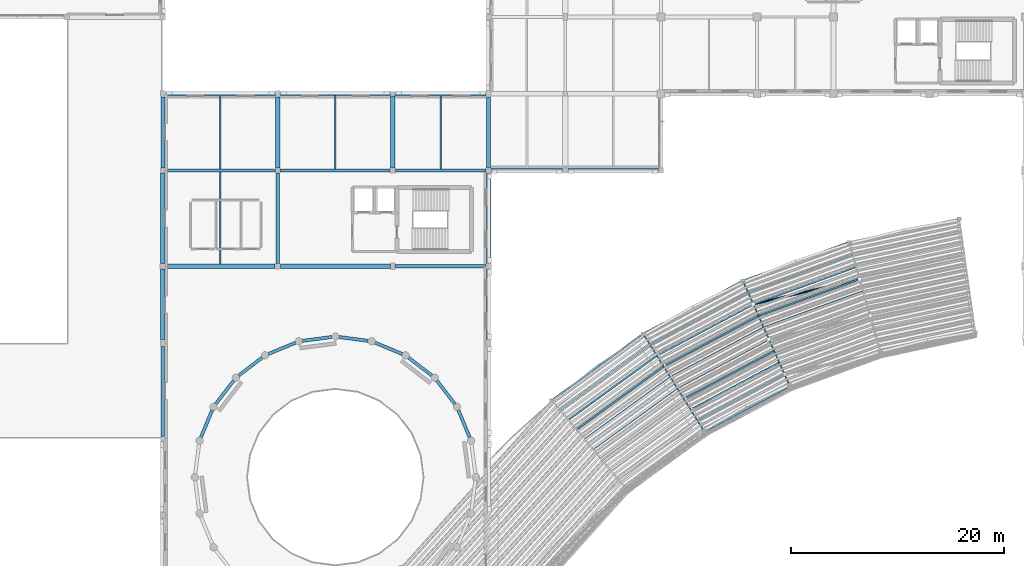
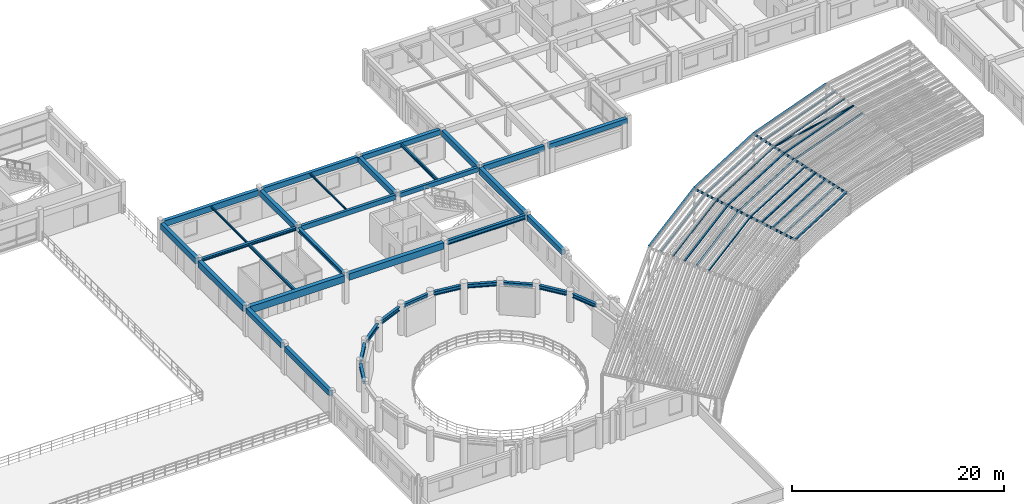
# One storey, part 29 of 74: 35 beams, 24 members.
"""IFC4 building model written with IfcOpenShell, lengths in metres."""

from ifc_helpers import new_model, si_unit, direction, frame, origin, origin_2d, place, context, subcontext, project, spatial, rectangle, hollow_circle, i_section, extrude, material, material_profile, profile_set, type_object, element, save


model = new_model("IFC4")

# Units and contexts
model_context = context("Model", 3, precision=1e-05, world=origin(), true_north=direction((0.0, 1.0)))
body_context = subcontext(model_context, "Body", "Model", "MODEL_VIEW")
ifc_project = project(units=[si_unit("LENGTHUNIT", "METRE"), si_unit("AREAUNIT", "SQUARE_METRE"), si_unit("VOLUMEUNIT", "CUBIC_METRE"), si_unit("PLANEANGLEUNIT", "RADIAN"), si_unit("MASSUNIT", "GRAM", prefix="KILO")], contexts=[model_context])

# Site, building, storey
site_placement = place(None, origin())
site = spatial("IfcSite", under=ifc_project, at=site_placement, CompositionType="ELEMENT")
building_placement = place(site_placement, origin())
building = spatial("IfcBuilding", under=site, at=building_placement, Name="Clarverna Civic Hall", CompositionType="ELEMENT")
storey_placement = place(building_placement, frame((0.0, 0.0, 13.199951171875)))
storey = spatial("IfcBuildingStorey", under=building, at=storey_placement, Name="L03", CompositionType="ELEMENT", Elevation=13.199951171875)

# Beams
ifc_material_1 = material(Name="Concrete C35/45", Category="concrete")
ifc_material_profile_1 = material_profile(ifc_material_1, rectangle(XDim=0.300048828125, YDim=0.550048828125, at=origin_2d()), Name="RC 300x550")
ifc_profile_set_1 = profile_set([ifc_material_profile_1], Name="Concrete C35/45")
beam_type_1 = type_object("IfcBeamType", Name="B-RC11", PredefinedType="BEAM", material=ifc_profile_set_1)
beam_1_placement = place(storey_placement, frame((77.625, 87.800048828125, 3.025146484375), z_axis=(1.0, 0.0, 0.0), x_axis=(0.0, 1.0, 0.0)))
element("IfcBeam", 1, at=beam_1_placement, inside=storey, type_object=beam_type_1, Name="B-RC11-030", PredefinedType="BEAM", context=body_context, shape_type="SweptSolid", body=[
    extrude(rectangle(XDim=0.300048828125, YDim=0.550048828125, at=origin_2d()), origin(), (0.0, 0.0, 1.0), 10.324951171875),
])
ifc_material_profile_2 = material_profile(ifc_material_1, rectangle(XDim=0.300048828125, YDim=0.5, at=origin_2d()), Name="RC 300x500")
ifc_profile_set_2 = profile_set([ifc_material_profile_2], Name="Concrete C35/45")
beam_type_2 = type_object("IfcBeamType", Name="B-RC12", PredefinedType="BEAM", material=ifc_profile_set_2)
beam_2_placement = place(storey_placement, frame((88.449951171875, 87.800048828125, 3.050048828125), z_axis=(1.0, 0.0, 0.0), x_axis=(0.0, 1.0, 0.0)))
element("IfcBeam", 2, at=beam_2_placement, inside=storey, type_object=beam_type_2, Name="B-RC12-044", PredefinedType="BEAM", context=body_context, shape_type="SweptSolid", body=[
    extrude(rectangle(XDim=0.300048828125, YDim=0.5, at=origin_2d()), origin(), (0.0, 0.0, 1.0), 8.525146484375),
])
ifc_material_profile_3 = material_profile(ifc_material_1, rectangle(XDim=0.449951171875, YDim=0.800048828125, at=origin_2d()), Name="RC 450x800")
ifc_profile_set_3 = profile_set([ifc_material_profile_3], Name="Concrete C35/45")
beam_type_3 = type_object("IfcBeamType", Name="B-RC2", PredefinedType="BEAM", material=ifc_profile_set_3)
beam_3_placement = place(storey_placement, frame((66.85009765625, 78.800048828125, 2.900146484375), z_axis=(1.0, 0.0, 0.0), x_axis=(0.0, 1.0, 0.0)))
element("IfcBeam", 3, at=beam_3_placement, inside=storey, type_object=beam_type_3, Name="B-RC2-027", PredefinedType="BEAM", context=body_context, shape_type="SweptSolid", body=[
    extrude(rectangle(XDim=0.449951171875, YDim=0.800048828125, at=origin_2d()), origin(), (0.0, 0.0, 1.0), 10.2998046875),
])
ifc_material_profile_4 = material_profile(ifc_material_1, rectangle(XDim=0.449951171875, YDim=0.75, at=origin_2d()), Name="RC 450x750")
ifc_profile_set_4 = profile_set([ifc_material_profile_4], Name="Concrete C35/45")
beam_type_4 = type_object("IfcBeamType", Name="B-RC3", PredefinedType="BEAM", material=ifc_profile_set_4)
beam_4_placement = place(storey_placement, frame((77.64990234375, 78.800048828125, 2.925048828125), z_axis=(1.0, 0.0, 0.0), x_axis=(0.0, 1.0, 0.0)))
element("IfcBeam", 4, at=beam_4_placement, inside=storey, type_object=beam_type_4, Name="B-RC3-035", PredefinedType="BEAM", context=body_context, shape_type="SweptSolid", body=[
    extrude(rectangle(XDim=0.449951171875, YDim=0.75, at=origin_2d()), origin(), (0.0, 0.0, 1.0), 10.3251953125),
])
ifc_material_profile_5 = material_profile(ifc_material_1, rectangle(XDim=0.39990234375, YDim=0.64990234375, at=origin_2d()), Name="RC 400x650")
ifc_profile_set_5 = profile_set([ifc_material_profile_5], Name="Concrete C35/45")
beam_type_5 = type_object("IfcBeamType", Name="B-RC6", PredefinedType="BEAM", material=ifc_profile_set_5)
beam_5_placement = place(storey_placement, frame((77.39990234375, 88.02490234375, 2.97509765625), z_axis=(0.0, 1.0, 0.0), x_axis=(-1.0, 0.0, 0.0)))
element("IfcBeam", 5, at=beam_5_placement, inside=storey, type_object=beam_type_5, Name="B-RC6-047", PredefinedType="BEAM", context=body_context, shape_type="SweptSolid", body=[
    extrude(rectangle(XDim=0.39990234375, YDim=0.64990234375, at=origin_2d()), origin(), (0.0, 0.0, 1.0), 6.650146484375),
])
ifc_material_profile_6 = material_profile(ifc_material_1, rectangle(XDim=0.39990234375, YDim=0.60009765625, at=origin_2d()), Name="RC 400x600")
ifc_profile_set_6 = profile_set([ifc_material_profile_6], Name="Concrete C35/45")
beam_type_6 = type_object("IfcBeamType", Name="B-RC7", PredefinedType="BEAM", material=ifc_profile_set_6)
beam_6_placement = place(storey_placement, frame((88.199951171875, 88.050048828125, 3.0), z_axis=(0.0, 1.0, 0.0), x_axis=(-1.0, 0.0, 0.0)))
element("IfcBeam", 6, at=beam_6_placement, inside=storey, type_object=beam_type_6, Name="B-RC7-029", PredefinedType="BEAM", context=body_context, shape_type="SweptSolid", body=[
    extrude(rectangle(XDim=0.39990234375, YDim=0.60009765625, at=origin_2d()), origin(), (0.0, 0.0, 1.0), 6.724853515625),
])
ifc_material_profile_7 = material_profile(ifc_material_1, rectangle(XDim=0.419921875, YDim=0.719970703125, at=origin_2d()), Name="RC 420x720")
ifc_profile_set_7 = profile_set([ifc_material_profile_7], Name="Concrete C35/45")
beam_type_7 = type_object("IfcBeamType", Name="B-SP1", PredefinedType="SPANDREL", material=ifc_profile_set_7)
for number, where, z_axis, x_axis, name in (
    (7, (66.60009765625, 79.050048828125, 2.93994140625), (0.0, 1.0, 0.0), (-1.0, 0.0, 0.0), "B-SP1-123"),
    (8, (97.199951171875, 79.050048828125, 2.93994140625), (0.0, 1.0, 0.0), (-1.0, 0.0, 0.0), "B-SP1-124"),
):
    element("IfcBeam", number, at=place(storey_placement, frame(where, z_axis=z_axis, x_axis=x_axis)), inside=storey, type_object=beam_type_7, Name=name, PredefinedType="SPANDREL", context=body_context, shape_type="SweptSolid", body=[
        extrude(rectangle(XDim=0.419921875, YDim=0.719970703125, at=origin_2d()), origin(), (0.0, 0.0, 1.0), 8.52490234375),
    ])
ifc_material_profile_8 = material_profile(ifc_material_1, rectangle(XDim=0.3798828125, YDim=0.679931640625, at=origin_2d()), Name="RC 380x680")
ifc_profile_set_8 = profile_set([ifc_material_profile_8], Name="Concrete C35/45")
beam_type_8 = type_object("IfcBeamType", Name="B-SP2", PredefinedType="SPANDREL", material=ifc_profile_set_8)
beam_7_placement = place(storey_placement, frame((66.824951171875, 95.0, 2.9599609375), z_axis=(1.0, 0.0, 0.0), x_axis=(0.0, 1.0, 0.0)))
element("IfcBeam", 9, at=beam_7_placement, inside=storey, type_object=beam_type_8, Name="B-SP2-115", PredefinedType="SPANDREL", context=body_context, shape_type="SweptSolid", body=[
    extrude(rectangle(XDim=0.3798828125, YDim=0.679931640625, at=origin_2d()), origin(), (0.0, 0.0, 1.0), 10.35009765625),
])
for number, where, z_axis, x_axis, name in (
    (10, (66.60009765625, 88.02490234375, 2.9599609375), (0.0, 1.0, 0.0), (-1.0, 0.0, 0.0), "B-SP2-129"),
    (11, (97.199951171875, 88.02490234375, 2.9599609375), (0.0, 1.0, 0.0), (-1.0, 0.0, 0.0), "B-SP2-130"),
):
    element("IfcBeam", number, at=place(storey_placement, frame(where, z_axis=z_axis, x_axis=x_axis)), inside=storey, type_object=beam_type_8, Name=name, PredefinedType="SPANDREL", context=body_context, shape_type="SweptSolid", body=[
        extrude(rectangle(XDim=0.3798828125, YDim=0.679931640625, at=origin_2d()), origin(), (0.0, 0.0, 1.0), 6.650146484375),
    ])
ifc_material_profile_9 = material_profile(ifc_material_1, rectangle(XDim=0.360107421875, YDim=0.6201171875, at=origin_2d()), Name="RC 360x620")
ifc_profile_set_9 = profile_set([ifc_material_profile_9], Name="Concrete C35/45")
beam_type_9 = type_object("IfcBeamType", Name="B-SP3", PredefinedType="SPANDREL", material=ifc_profile_set_9)
beam_8_placement = place(storey_placement, frame((97.425048828125, 87.800048828125, 2.989990234375), z_axis=(1.0, 0.0, 0.0), x_axis=(0.0, 1.0, 0.0)))
element("IfcBeam", 12, at=beam_8_placement, inside=storey, type_object=beam_type_9, Name="B-SP3-112", PredefinedType="SPANDREL", context=body_context, shape_type="SweptSolid", body=[
    extrude(rectangle(XDim=0.360107421875, YDim=0.6201171875, at=origin_2d()), origin(), (0.0, 0.0, 1.0), 6.724853515625),
])
beam_9_placement = place(storey_placement, frame((77.625, 95.0, 2.989990234375), z_axis=(1.0, 0.0, 0.0), x_axis=(0.0, 1.0, 0.0)))
element("IfcBeam", 13, at=beam_9_placement, inside=storey, type_object=beam_type_9, Name="B-SP3-113", PredefinedType="SPANDREL", context=body_context, shape_type="SweptSolid", body=[
    extrude(rectangle(XDim=0.360107421875, YDim=0.6201171875, at=origin_2d()), origin(), (0.0, 0.0, 1.0), 10.35009765625),
])
beam_10_placement = place(storey_placement, frame((66.60009765625, 62.824951171875, 2.989990234375), z_axis=(0.0, 1.0, 0.0), x_axis=(-1.0, 0.0, 0.0)))
element("IfcBeam", 14, at=beam_10_placement, inside=storey, type_object=beam_type_9, Name="B-SP3-125", PredefinedType="SPANDREL", context=body_context, shape_type="SweptSolid", body=[
    extrude(rectangle(XDim=0.360107421875, YDim=0.6201171875, at=origin_2d()), origin(), (0.0, 0.0, 1.0), 8.449951171875),
])
ifc_material_profile_10 = material_profile(ifc_material_1, rectangle(XDim=0.39990234375, YDim=0.56005859375, at=origin_2d()), Name="RC 400x560")
ifc_profile_set_10 = profile_set([ifc_material_profile_10], Name="Concrete C35/45")
beam_type_10 = type_object("IfcBeamType", Name="B-SP4", PredefinedType="SPANDREL", material=ifc_profile_set_10)
beam_11_placement = place(storey_placement, frame((104.64990234375, 87.800048828125, 3.02001953125), z_axis=(1.0, 0.0, 0.0), x_axis=(0.0, 1.0, 0.0)))
element("IfcBeam", 15, at=beam_11_placement, inside=storey, type_object=beam_type_10, Name="B-SP4-111", PredefinedType="SPANDREL", context=body_context, shape_type="SweptSolid", body=[
    extrude(rectangle(XDim=0.39990234375, YDim=0.56005859375, at=origin_2d()), origin(), (0.0, 0.0, 1.0), 8.525146484375),
])
beam_12_placement = place(storey_placement, frame((88.425048828125, 95.0, 3.02001953125), z_axis=(1.0, 0.0, 0.0), x_axis=(0.0, 1.0, 0.0)))
element("IfcBeam", 16, at=beam_12_placement, inside=storey, type_object=beam_type_10, Name="B-SP4-112", PredefinedType="SPANDREL", context=body_context, shape_type="SweptSolid", body=[
    extrude(rectangle(XDim=0.39990234375, YDim=0.56005859375, at=origin_2d()), origin(), (0.0, 0.0, 1.0), 8.550048828125),
])
for number, where, z_axis, x_axis, name in (
    (17, (66.60009765625, 71.925048828125, 3.02001953125), (0.0, 1.0, 0.0), (-1.0, 0.0, 0.0), "B-SP4-124"),
    (18, (97.199951171875, 71.925048828125, 3.02001953125), (0.0, 1.0, 0.0), (-1.0, 0.0, 0.0), "B-SP4-126"),
):
    element("IfcBeam", number, at=place(storey_placement, frame(where, z_axis=z_axis, x_axis=x_axis)), inside=storey, type_object=beam_type_10, Name=name, PredefinedType="SPANDREL", context=body_context, shape_type="SweptSolid", body=[
        extrude(rectangle(XDim=0.39990234375, YDim=0.56005859375, at=origin_2d()), origin(), (0.0, 0.0, 1.0), 6.625),
    ])
ifc_material_2 = material(Name="Steel S355", Category="steel")
ifc_material_profile_11 = material_profile(ifc_material_2, i_section(OverallWidth=0.300048828125, OverallDepth=0.5, WebThickness=0.014404296875, FlangeThickness=0.028076171875, FilletRadius=0.027099609375, at=origin_2d()), Name="HEB 500")
ifc_profile_set_11 = profile_set([ifc_material_profile_11], Name="Steel S355")
beam_type_11 = type_object("IfcBeamType", Name="B-ST2", PredefinedType="BEAM", material=ifc_profile_set_11)
beam_13_placement = place(storey_placement, frame((88.425048828125, 78.800048828125, 3.050048828125), z_axis=(1.0, 0.0, 0.0), x_axis=(0.0, 1.0, 0.0)))
element("IfcBeam", 19, at=beam_13_placement, inside=storey, type_object=beam_type_11, Name="B-ST2-011", PredefinedType="BEAM", context=body_context, shape_type="SweptSolid", body=[
    extrude(i_section(OverallWidth=0.300048828125, OverallDepth=0.5, WebThickness=0.014404296875, FlangeThickness=0.028076171875, FilletRadius=0.027099609375, at=origin_2d()), origin(), (0.0, 0.0, 1.0), 8.52490234375),
])
ifc_material_profile_12 = material_profile(ifc_material_2, i_section(OverallWidth=0.300048828125, OverallDepth=0.449951171875, WebThickness=0.013916015625, FlangeThickness=0.02587890625, FilletRadius=0.027099609375, at=origin_2d()), Name="HEB 450")
ifc_profile_set_12 = profile_set([ifc_material_profile_12], Name="Steel S355")
beam_type_12 = type_object("IfcBeamType", Name="B-ST3", PredefinedType="BEAM", material=ifc_profile_set_12)
beam_14_placement = place(storey_placement, frame((77.39990234375, 79.050048828125, 3.074951171875), z_axis=(0.0, 1.0, 0.0), x_axis=(-1.0, 0.0, 0.0)))
element("IfcBeam", 20, at=beam_14_placement, inside=storey, type_object=beam_type_12, Name="B-ST3-017", PredefinedType="BEAM", context=body_context, shape_type="SweptSolid", body=[
    extrude(i_section(OverallWidth=0.300048828125, OverallDepth=0.449951171875, WebThickness=0.013916015625, FlangeThickness=0.02587890625, FilletRadius=0.027099609375, at=origin_2d()), origin(), (0.0, 0.0, 1.0), 8.52490234375),
])
ifc_material_profile_13 = material_profile(ifc_material_2, i_section(OverallWidth=0.300048828125, OverallDepth=0.43994140625, WebThickness=0.011474609375, FlangeThickness=0.02099609375, FilletRadius=0.027099609375, at=origin_2d()), Name="HEA 450")
ifc_profile_set_13 = profile_set([ifc_material_profile_13], Name="Steel S355")
beam_type_13 = type_object("IfcBeamType", Name="B-ST5", PredefinedType="BEAM", material=ifc_profile_set_13)
for number, where, z_axis, x_axis, name in (
    (21, (95.422119140625, 62.725830078125, 3.080078125), (-0.382734966231, 0.923858184801, 0.0), (-0.923858184801, -0.382734966231, 0.0), "B-ST5-114"),
    (22, (94.027587890625, 65.86572265625, 3.080078125), (-0.608758287208, 0.79335575107, 0.0), (-0.79335575107, -0.608758287208, 0.0), "B-ST5-115"),
):
    element("IfcBeam", number, at=place(storey_placement, frame(where, z_axis=z_axis, x_axis=x_axis)), inside=storey, type_object=beam_type_13, Name=name, PredefinedType="BEAM", context=body_context, shape_type="SweptSolid", body=[
        extrude(i_section(OverallWidth=0.300048828125, OverallDepth=0.43994140625, WebThickness=0.011474609375, FlangeThickness=0.02099609375, FilletRadius=0.027099609375, at=origin_2d()), origin(), (0.0, 0.0, 1.0), 2.776123046875),
    ])
for number, where, z_axis, x_axis, name in (
    (23, (91.867919921875, 68.53759765625, 3.080078125), (-0.793323156255, 0.608800763592, 0.0), (-0.608800763592, -0.793323156255, 0.0), "B-ST5-116"),
    (24, (89.090576171875, 70.559814453125, 3.080078125), (-0.923889279384, 0.382659900485, 0.0), (-0.382659900485, -0.923889279384, 0.0), "B-ST5-117"),
    (25, (85.88427734375, 71.7939453125, 3.080078125), (-0.991446211216, 0.130515938743, 0.0), (-0.130515938743, -0.991446211216, 0.0), "B-ST5-118"),
    (26, (82.468017578125, 72.15625, 3.080078125), (-0.991446211216, -0.130515938743, 0.0), (0.130515938743, -0.991446211216, 0.0), "B-ST5-119"),
    (27, (79.07421875, 71.6220703125, 3.080078125), (-0.923889279384, -0.382659900485, 0.0), (0.382659900485, -0.923889279384, 0.0), "B-ST5-120"),
    (28, (75.93408203125, 70.2275390625, 3.080078125), (-0.793323156255, -0.608800763592, 0.0), (0.608800763592, -0.793323156255, 0.0), "B-ST5-121"),
    (29, (73.26220703125, 68.068115234375, 3.080078125), (-0.608702928733, -0.793398225705, 0.0), (0.793398225705, -0.608702928733, 0.0), "B-ST5-122"),
    (30, (71.240234375, 65.29052734375, 3.080078125), (-0.382659900485, -0.923889279384, 0.0), (0.923889279384, -0.382659900485, 0.0), "B-ST5-123"),
):
    element("IfcBeam", number, at=place(storey_placement, frame(where, z_axis=z_axis, x_axis=x_axis)), inside=storey, type_object=beam_type_13, Name=name, PredefinedType="BEAM", context=body_context, shape_type="SweptSolid", body=[
        extrude(i_section(OverallWidth=0.300048828125, OverallDepth=0.43994140625, WebThickness=0.011474609375, FlangeThickness=0.02099609375, FilletRadius=0.027099609375, at=origin_2d()), origin(), (0.0, 0.0, 1.0), 2.77587890625),
    ])
ifc_material_profile_14 = material_profile(ifc_material_2, i_section(OverallWidth=0.300048828125, OverallDepth=0.330078125, WebThickness=0.009521484375, FlangeThickness=0.0166015625, FilletRadius=0.027099609375, at=origin_2d()), Name="HEA 340")
ifc_profile_set_14 = profile_set([ifc_material_profile_14], Name="Steel S355")
beam_type_14 = type_object("IfcBeamType", Name="B-ST8", PredefinedType="BEAM", material=ifc_profile_set_14)
beam_15_placement = place(storey_placement, frame((66.824951171875, 87.800048828125, 3.135009765625), z_axis=(1.0, 0.0, 0.0), x_axis=(0.0, 1.0, 0.0)))
element("IfcBeam", 31, at=beam_15_placement, inside=storey, type_object=beam_type_14, Name="B-ST8-085", PredefinedType="BEAM", context=body_context, shape_type="SweptSolid", body=[
    extrude(i_section(OverallWidth=0.300048828125, OverallDepth=0.330078125, WebThickness=0.009521484375, FlangeThickness=0.0166015625, FilletRadius=0.027099609375, at=origin_2d()), origin(), (0.0, 0.0, 1.0), 10.35009765625),
])

# Member
ifc_material_profile_15 = material_profile(ifc_material_2, hollow_circle(Radius=0.109619140625, WallThickness=0.010009765625, at=origin_2d()), Name="CHS 219.1x10.0")
ifc_profile_set_15 = profile_set([ifc_material_profile_15], Name="Steel S355")
member_type_1 = type_object("IfcMemberType", Name="BRS-1", PredefinedType="BRACE", material=ifc_profile_set_15)
member_1_placement = place(storey_placement, frame((132.0439453125, 77.59521484375, 4.216796875), z_axis=(-0.972879366479, -0.229909599046, 0.025442376954), x_axis=(0.229984047105, -0.973194398914, 0.0)))
element("IfcMember", 32, at=member_1_placement, inside=storey, type_object=member_type_1, Name="BRS-1-003", PredefinedType="BRACE", context=body_context, shape_type="SweptSolid", body=[
    extrude(hollow_circle(Radius=0.109619140625, WallThickness=0.010009765625, at=origin_2d()), origin(), (0.0, 0.0, 1.0), 10.258056640625),
])

# Beams
ifc_material_profile_16 = material_profile(ifc_material_2, i_section(OverallWidth=0.169921875, OverallDepth=0.360107421875, WebThickness=0.008056640625, FlangeThickness=0.0126953125, FilletRadius=0.01806640625, at=origin_2d()), Name="IPE 360")
ifc_profile_set_16 = profile_set([ifc_material_profile_16], Name="Steel S355")
beam_type_15 = type_object("IfcBeamType", Name="J-ST1", PredefinedType="JOIST", material=ifc_profile_set_16)
beam_16_placement = place(storey_placement, frame((72.0, 79.02490234375, 3.1201171875), z_axis=(0.0, 1.0, 0.0), x_axis=(-1.0, 0.0, 0.0)))
element("IfcBeam", 33, at=beam_16_placement, inside=storey, type_object=beam_type_15, Name="J-ST1-061", PredefinedType="JOIST", context=body_context, shape_type="SweptSolid", body=[
    extrude(i_section(OverallWidth=0.169921875, OverallDepth=0.360107421875, WebThickness=0.008056640625, FlangeThickness=0.0126953125, FilletRadius=0.01806640625, at=origin_2d()), origin(), (0.0, 0.0, 1.0), 8.625),
])
beam_17_placement = place(storey_placement, frame((92.699951171875, 87.949951171875, 3.1201171875), z_axis=(0.0, 1.0, 0.0), x_axis=(-1.0, 0.0, 0.0)))
element("IfcBeam", 34, at=beam_17_placement, inside=storey, type_object=beam_type_15, Name="J-ST1-062", PredefinedType="JOIST", context=body_context, shape_type="SweptSolid", body=[
    extrude(i_section(OverallWidth=0.169921875, OverallDepth=0.360107421875, WebThickness=0.008056640625, FlangeThickness=0.0126953125, FilletRadius=0.01806640625, at=origin_2d()), origin(), (0.0, 0.0, 1.0), 6.85009765625),
])
ifc_material_profile_17 = material_profile(ifc_material_2, i_section(OverallWidth=0.1201171875, OverallDepth=0.239990234375, WebThickness=0.006103515625, FlangeThickness=0.009765625, FilletRadius=0.014892578125, at=origin_2d()), Name="IPE 240")
ifc_profile_set_17 = profile_set([ifc_material_profile_17], Name="Steel S355")
beam_type_16 = type_object("IfcBeamType", Name="J-ST5", PredefinedType="JOIST", material=ifc_profile_set_17)
beam_18_placement = place(storey_placement, frame((72.0, 87.949951171875, 3.179931640625), z_axis=(0.0, 1.0, 0.0), x_axis=(-1.0, 0.0, 0.0)))
element("IfcBeam", 35, at=beam_18_placement, inside=storey, type_object=beam_type_16, Name="J-ST5-061", PredefinedType="JOIST", context=body_context, shape_type="SweptSolid", body=[
    extrude(i_section(OverallWidth=0.1201171875, OverallDepth=0.239990234375, WebThickness=0.006103515625, FlangeThickness=0.009765625, FilletRadius=0.014892578125, at=origin_2d()), origin(), (0.0, 0.0, 1.0), 6.860107421875),
])
ifc_material_profile_18 = material_profile(ifc_material_2, i_section(OverallWidth=0.110107421875, OverallDepth=0.219970703125, WebThickness=0.005859375, FlangeThickness=0.00927734375, FilletRadius=0.011962890625, at=origin_2d()), Name="IPE 220")
ifc_profile_set_18 = profile_set([ifc_material_profile_18], Name="Steel S355")
beam_type_17 = type_object("IfcBeamType", Name="J-ST6", PredefinedType="JOIST", material=ifc_profile_set_18)
beam_19_placement = place(storey_placement, frame((82.800048828125, 87.949951171875, 3.18994140625), z_axis=(0.0, 1.0, 0.0), x_axis=(-1.0, 0.0, 0.0)))
element("IfcBeam", 36, at=beam_19_placement, inside=storey, type_object=beam_type_17, Name="J-ST6-062", PredefinedType="JOIST", context=body_context, shape_type="SweptSolid", body=[
    extrude(i_section(OverallWidth=0.110107421875, OverallDepth=0.219970703125, WebThickness=0.005859375, FlangeThickness=0.00927734375, FilletRadius=0.011962890625, at=origin_2d()), origin(), (0.0, 0.0, 1.0), 6.8701171875),
])

# Members
ifc_material_profile_19 = material_profile(ifc_material_2, i_section(OverallWidth=0.179931640625, OverallDepth=0.1708984375, WebThickness=0.006103515625, FlangeThickness=0.009521484375, FilletRadius=0.014892578125, at=origin_2d()), Name="HEA 180")
ifc_profile_set_19 = profile_set([ifc_material_profile_19], Name="Steel S355")
member_type_2 = type_object("IfcMemberType", Name="PU-SC2", PredefinedType="PURLIN", material=ifc_profile_set_19)
member_2_placement = place(storey_placement, frame((125.480712890625, 67.563232421875, 2.650146484375), z_axis=(-0.882943645192, -0.469478987193, 0.0), x_axis=(0.469478987193, -0.882943645192, 0.0)))
element("IfcMember", 37, at=member_2_placement, inside=storey, type_object=member_type_2, Name="PU-SC2-003", PredefinedType="PURLIN", context=body_context, shape_type="SweptSolid", body=[
    extrude(i_section(OverallWidth=0.179931640625, OverallDepth=0.1708984375, WebThickness=0.006103515625, FlangeThickness=0.009521484375, FilletRadius=0.014892578125, at=origin_2d()), origin(), (0.0, 0.0, 1.0), 9.09619140625),
])
for number, where, z_axis, x_axis, name in (
    (38, (131.051513671875, 81.055908203125, 5.0), (-0.93969254109, -0.342020362288, 0.0), (0.342020362288, -0.93969254109, 0.0), "PU-SC2-007"),
    (39, (121.087890625, 77.429443359375, 5.0), (-0.88294692346, -0.46947282174, 0.0), (0.46947282174, -0.88294692346, 0.0), "PU-SC2-008"),
):
    element("IfcMember", number, at=place(storey_placement, frame(where, z_axis=z_axis, x_axis=x_axis)), inside=storey, type_object=member_type_2, Name=name, PredefinedType="PURLIN", context=body_context, shape_type="SweptSolid", body=[
        extrude(i_section(OverallWidth=0.179931640625, OverallDepth=0.1708984375, WebThickness=0.006103515625, FlangeThickness=0.009521484375, FilletRadius=0.014892578125, at=origin_2d()), origin(), (0.0, 0.0, 1.0), 10.60302734375),
    ])
member_3_placement = place(storey_placement, frame((111.72607421875, 72.45166015625, 5.0), z_axis=(-0.809017779689, -0.587784171399, 0.0), x_axis=(0.587784171399, -0.809017779689, 0.0)))
element("IfcMember", 40, at=member_3_placement, inside=storey, type_object=member_type_2, Name="PU-SC2-009", PredefinedType="PURLIN", context=body_context, shape_type="SweptSolid", body=[
    extrude(i_section(OverallWidth=0.179931640625, OverallDepth=0.1708984375, WebThickness=0.006103515625, FlangeThickness=0.009521484375, FilletRadius=0.014892578125, at=origin_2d()), origin(), (0.0, 0.0, 1.0), 10.602783203125),
])
ifc_material_profile_20 = material_profile(ifc_material_2, i_section(OverallWidth=0.159912109375, OverallDepth=0.152099609375, WebThickness=0.006103515625, FlangeThickness=0.009033203125, FilletRadius=0.014892578125, at=origin_2d()), Name="HEA 160")
ifc_profile_set_20 = profile_set([ifc_material_profile_20], Name="Steel S355")
member_type_3 = type_object("IfcMemberType", Name="PU-SC3", PredefinedType="PURLIN", material=ifc_profile_set_20)
member_4_placement = place(storey_placement, frame((124.99267578125, 68.659423828125, 2.9111328125), z_axis=(-0.882940266503, -0.469485341397, 0.0), x_axis=(0.469485341397, -0.882940266503, 0.0)))
element("IfcMember", 41, at=member_4_placement, inside=storey, type_object=member_type_3, Name="PU-SC3-003", PredefinedType="PURLIN", context=body_context, shape_type="SweptSolid", body=[
    extrude(i_section(OverallWidth=0.159912109375, OverallDepth=0.152099609375, WebThickness=0.006103515625, FlangeThickness=0.009033203125, FilletRadius=0.014892578125, at=origin_2d()), origin(), (0.0, 0.0, 1.0), 9.263671875),
])
member_5_placement = place(storey_placement, frame((124.504638671875, 69.755615234375, 3.17236328125), z_axis=(-0.882953444158, -0.469460557928, 0.0), x_axis=(0.469460557928, -0.882953444158, 0.0)))
element("IfcMember", 42, at=member_5_placement, inside=storey, type_object=member_type_3, Name="PU-SC3-007", PredefinedType="PURLIN", context=body_context, shape_type="SweptSolid", body=[
    extrude(i_section(OverallWidth=0.159912109375, OverallDepth=0.152099609375, WebThickness=0.006103515625, FlangeThickness=0.009033203125, FilletRadius=0.014892578125, at=origin_2d()), origin(), (0.0, 0.0, 1.0), 9.430908203125),
])
member_6_placement = place(storey_placement, frame((124.0166015625, 70.851806640625, 3.433349609375), z_axis=(-0.882955618437, -0.469456468557, 0.0), x_axis=(0.469456468557, -0.882955618437, 0.0)))
element("IfcMember", 43, at=member_6_placement, inside=storey, type_object=member_type_3, Name="PU-SC3-011", PredefinedType="PURLIN", context=body_context, shape_type="SweptSolid", body=[
    extrude(i_section(OverallWidth=0.159912109375, OverallDepth=0.152099609375, WebThickness=0.006103515625, FlangeThickness=0.009033203125, FilletRadius=0.014892578125, at=origin_2d()), origin(), (0.0, 0.0, 1.0), 9.5986328125),
])
for number, where, z_axis, x_axis, name in (
    (44, (123.5283203125, 71.9482421875, 3.6943359375), (-0.882936335562, -0.469492734069, 0.0), (0.469492734069, -0.882936335562, 0.0), "PU-SC3-015"),
    (45, (114.90576171875, 67.36328125, 3.6943359375), (-0.809021384408, -0.587779209882, 0.0), (0.587779209882, -0.809021384408, 0.0), "PU-SC3-016"),
):
    element("IfcMember", number, at=place(storey_placement, frame(where, z_axis=z_axis, x_axis=x_axis)), inside=storey, type_object=member_type_3, Name=name, PredefinedType="PURLIN", context=body_context, shape_type="SweptSolid", body=[
        extrude(i_section(OverallWidth=0.159912109375, OverallDepth=0.152099609375, WebThickness=0.006103515625, FlangeThickness=0.009033203125, FilletRadius=0.014892578125, at=origin_2d()), origin(), (0.0, 0.0, 1.0), 9.765869140625),
    ])
member_7_placement = place(storey_placement, frame((132.37451171875, 76.44189453125, 3.95556640625), z_axis=(-0.939690045353, -0.342027219186, 0.0), x_axis=(0.342027219186, -0.939690045353, 0.0)))
element("IfcMember", 46, at=member_7_placement, inside=storey, type_object=member_type_3, Name="PU-SC3-018", PredefinedType="PURLIN", context=body_context, shape_type="SweptSolid", body=[
    extrude(i_section(OverallWidth=0.159912109375, OverallDepth=0.152099609375, WebThickness=0.006103515625, FlangeThickness=0.009033203125, FilletRadius=0.014892578125, at=origin_2d()), origin(), (0.0, 0.0, 1.0), 9.933349609375),
])
member_8_placement = place(storey_placement, frame((123.040283203125, 73.04443359375, 3.95556640625), z_axis=(-0.882948913473, -0.469469079063, 0.0), x_axis=(0.469469079063, -0.882948913473, 0.0)))
element("IfcMember", 47, at=member_8_placement, inside=storey, type_object=member_type_3, Name="PU-SC3-019", PredefinedType="PURLIN", context=body_context, shape_type="SweptSolid", body=[
    extrude(i_section(OverallWidth=0.159912109375, OverallDepth=0.152099609375, WebThickness=0.006103515625, FlangeThickness=0.009033203125, FilletRadius=0.014892578125, at=origin_2d()), origin(), (0.0, 0.0, 1.0), 9.93310546875),
])
member_9_placement = place(storey_placement, frame((114.269775390625, 68.381103515625, 3.95556640625), z_axis=(-0.80902401136, -0.58777559412, 0.0), x_axis=(0.58777559412, -0.80902401136, 0.0)))
element("IfcMember", 48, at=member_9_placement, inside=storey, type_object=member_type_3, Name="PU-SC3-020", PredefinedType="PURLIN", context=body_context, shape_type="SweptSolid", body=[
    extrude(i_section(OverallWidth=0.159912109375, OverallDepth=0.152099609375, WebThickness=0.006103515625, FlangeThickness=0.009033203125, FilletRadius=0.014892578125, at=origin_2d()), origin(), (0.0, 0.0, 1.0), 9.933349609375),
])
for number, where, z_axis, x_axis, name in (
    (49, (132.0439453125, 77.59521484375, 4.216796875), (-0.939695998108, -0.342010864068, 0.0), (0.342010864068, -0.939695998108, 0.0), "PU-SC3-022"),
    (50, (122.55224609375, 74.140625, 4.216796875), (-0.88295105484, -0.469465051688, 0.0), (0.469465051688, -0.88295105484, 0.0), "PU-SC3-023"),
):
    element("IfcMember", number, at=place(storey_placement, frame(where, z_axis=z_axis, x_axis=x_axis)), inside=storey, type_object=member_type_3, Name=name, PredefinedType="PURLIN", context=body_context, shape_type="SweptSolid", body=[
        extrude(i_section(OverallWidth=0.159912109375, OverallDepth=0.152099609375, WebThickness=0.006103515625, FlangeThickness=0.009033203125, FilletRadius=0.014892578125, at=origin_2d()), origin(), (0.0, 0.0, 1.0), 10.100830078125),
    ])
member_10_placement = place(storey_placement, frame((113.6337890625, 69.398681640625, 4.216796875), z_axis=(-0.80901820071, -0.587783591911, 0.0), x_axis=(0.587783591911, -0.80901820071, 0.0)))
element("IfcMember", 51, at=member_10_placement, inside=storey, type_object=member_type_3, Name="PU-SC3-024", PredefinedType="PURLIN", context=body_context, shape_type="SweptSolid", body=[
    extrude(i_section(OverallWidth=0.159912109375, OverallDepth=0.152099609375, WebThickness=0.006103515625, FlangeThickness=0.009033203125, FilletRadius=0.014892578125, at=origin_2d()), origin(), (0.0, 0.0, 1.0), 10.1005859375),
])
member_11_placement = place(storey_placement, frame((131.713134765625, 78.748779296875, 4.477783203125), z_axis=(-0.939691333925, -0.342023678926, 0.0), x_axis=(0.342023678926, -0.939691333925, 0.0)))
element("IfcMember", 52, at=member_11_placement, inside=storey, type_object=member_type_3, Name="PU-SC3-026", PredefinedType="PURLIN", context=body_context, shape_type="SweptSolid", body=[
    extrude(i_section(OverallWidth=0.159912109375, OverallDepth=0.152099609375, WebThickness=0.006103515625, FlangeThickness=0.009033203125, FilletRadius=0.014892578125, at=origin_2d()), origin(), (0.0, 0.0, 1.0), 10.26806640625),
])
member_12_placement = place(storey_placement, frame((122.064208984375, 75.23681640625, 4.477783203125), z_axis=(-0.882953126312, -0.469461155726, 0.0), x_axis=(0.469461155726, -0.882953126312, 0.0)))
element("IfcMember", 53, at=member_12_placement, inside=storey, type_object=member_type_3, Name="PU-SC3-027", PredefinedType="PURLIN", context=body_context, shape_type="SweptSolid", body=[
    extrude(i_section(OverallWidth=0.159912109375, OverallDepth=0.152099609375, WebThickness=0.006103515625, FlangeThickness=0.009033203125, FilletRadius=0.014892578125, at=origin_2d()), origin(), (0.0, 0.0, 1.0), 10.268310546875),
])
member_13_placement = place(storey_placement, frame((112.997802734375, 70.416259765625, 4.477783203125), z_axis=(-0.809012579284, -0.587791329096, 0.0), x_axis=(0.587791329096, -0.809012579284, 0.0)))
element("IfcMember", 54, at=member_13_placement, inside=storey, type_object=member_type_3, Name="PU-SC3-028", PredefinedType="PURLIN", context=body_context, shape_type="SweptSolid", body=[
    extrude(i_section(OverallWidth=0.159912109375, OverallDepth=0.152099609375, WebThickness=0.006103515625, FlangeThickness=0.009033203125, FilletRadius=0.014892578125, at=origin_2d()), origin(), (0.0, 0.0, 1.0), 10.267822265625),
])
for number, where, z_axis, x_axis, name in (
    (55, (131.38232421875, 79.90234375, 4.739013671875), (-0.939694338357, -0.3420154243, 0.0), (0.3420154243, -0.939694338357, 0.0), "PU-SC3-030"),
    (56, (121.576171875, 76.333251953125, 4.739013671875), (-0.882949975178, -0.469467082268, 0.0), (0.469467082268, -0.882949975178, 0.0), "PU-SC3-031"),
):
    element("IfcMember", number, at=place(storey_placement, frame(where, z_axis=z_axis, x_axis=x_axis)), inside=storey, type_object=member_type_3, Name=name, PredefinedType="PURLIN", context=body_context, shape_type="SweptSolid", body=[
        extrude(i_section(OverallWidth=0.159912109375, OverallDepth=0.152099609375, WebThickness=0.006103515625, FlangeThickness=0.009033203125, FilletRadius=0.014892578125, at=origin_2d()), origin(), (0.0, 0.0, 1.0), 10.435546875),
    ])
member_14_placement = place(storey_placement, frame((112.362060546875, 71.43408203125, 4.739013671875), z_axis=(-0.809012179082, -0.587791879918, 0.0), x_axis=(0.587791879918, -0.809012179082, 0.0)))
element("IfcMember", 57, at=member_14_placement, inside=storey, type_object=member_type_3, Name="PU-SC3-032", PredefinedType="PURLIN", context=body_context, shape_type="SweptSolid", body=[
    extrude(i_section(OverallWidth=0.159912109375, OverallDepth=0.152099609375, WebThickness=0.006103515625, FlangeThickness=0.009033203125, FilletRadius=0.014892578125, at=origin_2d()), origin(), (0.0, 0.0, 1.0), 10.435791015625),
])
ifc_material_profile_21 = material_profile(ifc_material_2, i_section(OverallWidth=0.1201171875, OverallDepth=0.239990234375, WebThickness=0.006103515625, FlangeThickness=0.009765625, FilletRadius=0.014892578125, at=origin_2d()), Name="IPE 240")
ifc_profile_set_21 = profile_set([ifc_material_profile_21], Name="Steel S355")
member_type_4 = type_object("IfcMemberType", Name="SC-RF1", PredefinedType="RAFTER", material=ifc_profile_set_21)
for number, where, z_axis, x_axis, name in (
    (58, (125.480712890625, 67.563232421875, 2.550048828125), (-0.397443709467, 0.892652430777, 0.212626751922), (-0.913541943449, -0.406744535991, 0.0), "SC-RF1-003"),
    (59, (117.44921875, 63.292724609375, 2.550048828125), (-0.517802427526, 0.82865617561, 0.212625465718), (-0.848047829353, -0.529919691208, 0.0), "SC-RF1-004"),
):
    element("IfcMember", number, at=place(storey_placement, frame(where, z_axis=z_axis, x_axis=x_axis)), inside=storey, type_object=member_type_4, Name=name, PredefinedType="RAFTER", context=body_context, shape_type="SweptSolid", body=[
        extrude(i_section(OverallWidth=0.1201171875, OverallDepth=0.239990234375, WebThickness=0.006103515625, FlangeThickness=0.009765625, FilletRadius=0.014892578125, at=origin_2d()), origin(), (0.0, 0.0, 1.0), 11.052734375),
    ])

save(model, "model.ifc")
